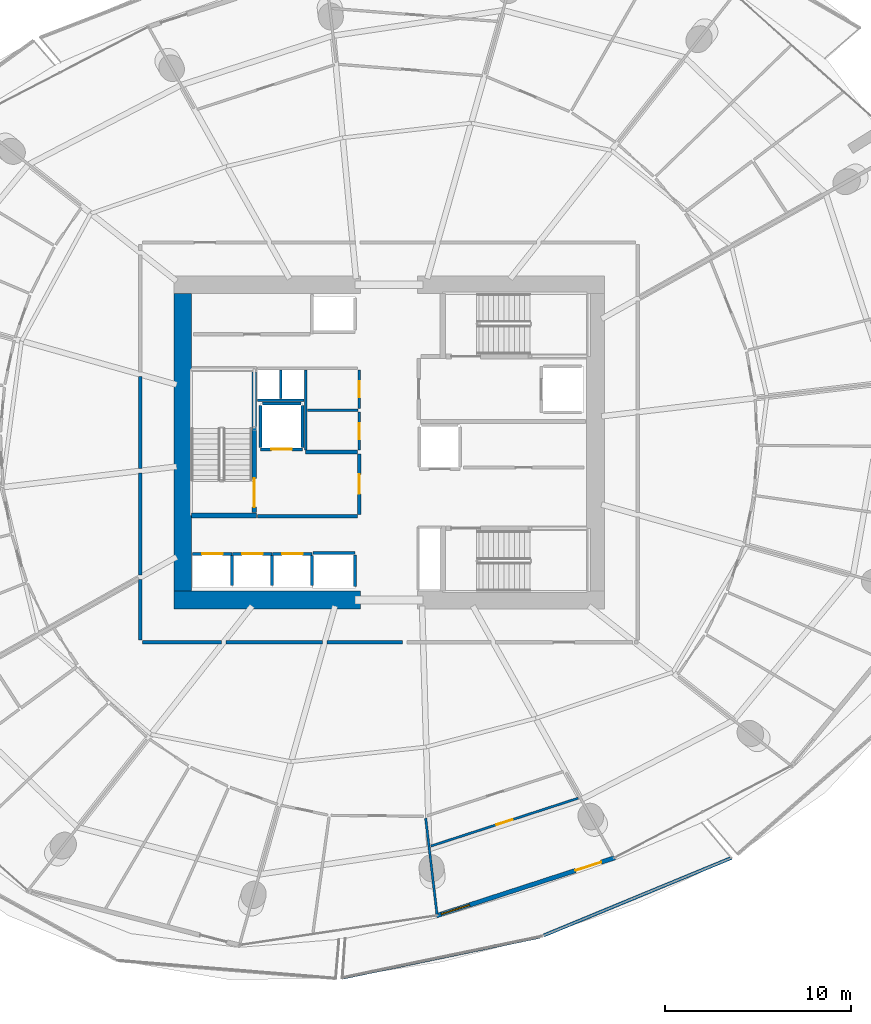
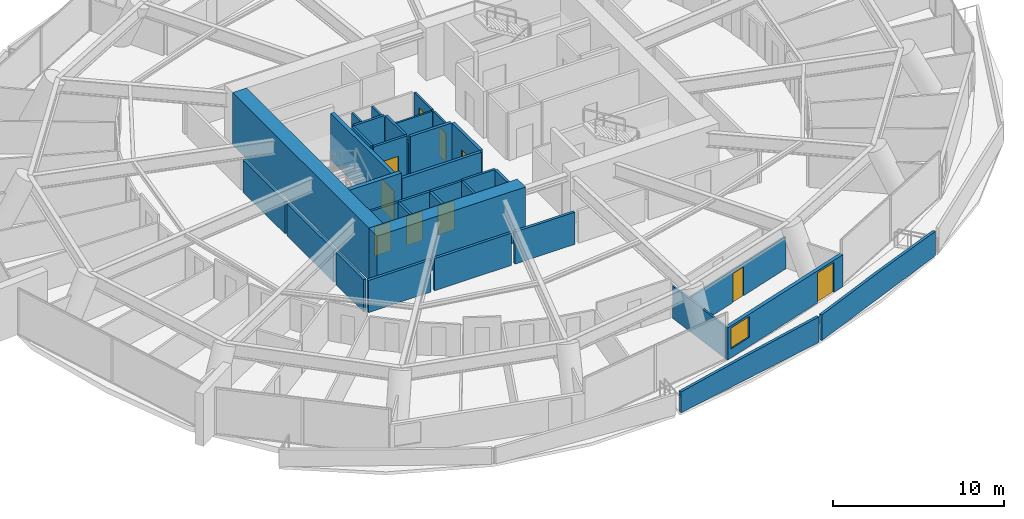
# One storey, part 19 of 31: 36 walls, 10 doors, 1 window, 11 openings.
"""IFC4 building model written with IfcOpenShell, lengths in metres."""

from ifc_helpers import new_model, si_unit, direction, frame, frame_2d, origin, place, context, subcontext, project, spatial, polyline, rectangle, outline, extrude, material, layer, layer_set, type_object, element, fill, save


model = new_model("IFC4")

# Units and contexts
model_context = context("Model", 3, precision=1e-05, world=origin(), true_north=direction((0.0, 1.0)))
body_context = subcontext(model_context, "Body", "Model", "MODEL_VIEW")
ifc_project = project(units=[si_unit("LENGTHUNIT", "METRE"), si_unit("AREAUNIT", "SQUARE_METRE"), si_unit("VOLUMEUNIT", "CUBIC_METRE"), si_unit("PLANEANGLEUNIT", "RADIAN"), si_unit("MASSUNIT", "GRAM", prefix="KILO")], contexts=[model_context])

# Site, building, storey
site_placement = place(None, origin())
site = spatial("IfcSite", under=ifc_project, at=site_placement, CompositionType="ELEMENT")
building_placement = place(site_placement, origin())
building = spatial("IfcBuilding", under=site, at=building_placement, Name="Kazma Halo Residences", CompositionType="ELEMENT")
storey_placement = place(building_placement, frame((0.0, 0.0, 71.39990234375)))
storey = spatial("IfcBuildingStorey", under=building, at=storey_placement, Name="L17", CompositionType="ELEMENT", Elevation=71.39990234375)

# Walls
ifc_material_1 = material(Name="White Concrete C50/60 Balustrade", Category="concrete")
ifc_layer_1 = layer(ifc_material_1, 0.179931640625)
ifc_layer_set_1 = layer_set([ifc_layer_1], Name="White Concrete C50/60 Balustrade")
wall_type_1 = type_object("IfcWallType", Name="WL-BAL-WAVE-180", PredefinedType="PARAPET", material=ifc_layer_set_1)
wall_1_placement = place(storey_placement, frame((45.9111328125, 13.21044921875, 0.0), z_axis=(0.0, 0.0, 1.0), x_axis=(0.979112078275, 0.203321268379, 0.0)))
element("IfcWall", 1, at=wall_1_placement, inside=storey, type_object=wall_type_1, Name="L17 white wave balustrade wall SSE.1", PredefinedType="PARAPET", context=body_context, shape_type="SweptSolid", body=[
    extrude(outline(polyline([(0.0, 0.0), (10.828369140625, 0.0), (10.82861328125, 1.83203125), (5.414306640625, 1.696044921875), (0.0, 1.4970703125), (0.0, 0.0)])), frame((0.0, 0.08984375, 0.0), z_axis=(0.0, -1.0, 0.0), x_axis=(1.0, 0.0, 0.0)), (0.0, 0.0, 1.0), 0.179931640625),
])
wall_2_placement = place(storey_placement, frame((56.741943359375, 15.482421875, 0.0), z_axis=(0.0, 0.0, 1.0), x_axis=(0.924219630584, 0.381861328813, 0.0)))
element("IfcWall", 2, at=wall_2_placement, inside=storey, type_object=wall_type_1, Name="L17 white wave balustrade wall SSE.2", PredefinedType="PARAPET", context=body_context, shape_type="SweptSolid", body=[
    extrude(outline(polyline([(0.0, 0.0), (10.93408203125, 0.0), (10.93408203125, 1.756103515625), (5.467041015625, 1.85302734375), (0.0, 1.83203125), (0.0, 0.0)])), frame((0.0, 0.08984375, 0.0), z_axis=(0.0, -1.0, 0.0), x_axis=(1.0, 0.0, 0.0)), (0.0, 0.0, 1.0), 0.179931640625),
])
ifc_material_2 = material(Name="Concrete C80/95", Category="concrete")
ifc_layer_2 = layer(ifc_material_2, 0.949951171875)
ifc_layer_set_2 = layer_set([ifc_layer_2], Name="Concrete C80/95")
wall_type_2 = type_object("IfcWallType", Name="WL-CORE-950", PredefinedType="SHEAR", material=ifc_layer_set_2)
wall_3_placement = place(storey_placement, frame((36.85009765625, 33.52490234375, 0.0), z_axis=(0.0, 0.0, 1.0), x_axis=(1.0, 0.0, 0.0)))
element("IfcWall", 3, at=wall_3_placement, inside=storey, type_object=wall_type_2, Name="L17 central core shear wall SW", PredefinedType="SHEAR", context=body_context, shape_type="SweptSolid", body=[
    extrude(rectangle(XDim=10.0498046875, YDim=0.949951171875, at=frame_2d((5.02490234375, 0.0))), origin(), (0.0, 0.0, 1.0), 3.75),
])
wall_4_placement = place(storey_placement, frame((37.324951171875, 34.0, 0.0), z_axis=(0.0, 0.0, 1.0), x_axis=(0.0, 1.0, 0.0)))
element("IfcWall", 4, at=wall_4_placement, inside=storey, type_object=wall_type_2, Name="L17 central core shear wall W", PredefinedType="SHEAR", context=body_context, shape_type="SweptSolid", body=[
    extrude(rectangle(XDim=16.0, YDim=0.949951171875, at=frame_2d((8.0, 0.0))), origin(), (0.0, 0.0, 1.0), 3.75),
])
ifc_material_3 = material(Name="Concrete C60/75", Category="concrete")
ifc_layer_3 = layer(ifc_material_3, 0.280029296875)
ifc_layer_set_3 = layer_set([ifc_layer_3], Name="Concrete C60/75")
wall_type_3 = type_object("IfcWallType", Name="WL-CORE-ST-280", PredefinedType="SHEAR", material=ifc_layer_set_3)
wall_5_placement = place(storey_placement, frame((37.800048828125, 38.06005859375, 0.0), z_axis=(0.0, 0.0, 1.0), x_axis=(1.0, 0.0, 0.0)))
element("IfcWall", 5, at=wall_5_placement, inside=storey, type_object=wall_type_3, Name="L17 stairwell bearing wall ST01-S", PredefinedType="SHEAR", context=body_context, shape_type="SweptSolid", body=[
    extrude(rectangle(XDim=3.5, YDim=0.280029296875, at=frame_2d((1.75, 0.0))), origin(), (0.0, 0.0, 1.0), 3.75),
])
ifc_material_4 = material(Name="Acoustic Twin-Stud Gypsum")
ifc_layer_4 = layer(ifc_material_4, 0.179931640625)
ifc_layer_set_4 = layer_set([ifc_layer_4], Name="Acoustic Twin-Stud Gypsum")
wall_type_4 = type_object("IfcWallType", Name="WL-DEM-180", PredefinedType="PARTITIONING", material=ifc_layer_set_4)
wall_6_placement = place(storey_placement, frame((35.050048828125, 45.5322265625, 0.0), z_axis=(0.0, 0.0, 1.0), x_axis=(0.0, -1.0, 0.0)))
element("IfcWall", 6, at=wall_6_placement, inside=storey, type_object=wall_type_4, Name="L17 Apartment 1 inner wall 6", PredefinedType="PARTITIONING", context=body_context, shape_type="SweptSolid", body=[
    extrude(rectangle(XDim=4.94482421875, YDim=0.179931640625, at=frame_2d((2.472412109375, 0.0))), origin(), (0.0, 0.0, 1.0), 2.30712890625),
])
wall_7_placement = place(storey_placement, frame((35.050048828125, 40.347412109375, 0.0), z_axis=(0.0, 0.0, 1.0), x_axis=(0.0, -1.0, 0.0)))
element("IfcWall", 7, at=wall_7_placement, inside=storey, type_object=wall_type_4, Name="L17 Apartment 1 inner wall 7", PredefinedType="PARTITIONING", context=body_context, shape_type="SweptSolid", body=[
    extrude(rectangle(XDim=5.479736328125, YDim=0.179931640625, at=frame_2d((2.73974609375, 0.0))), origin(), (0.0, 0.0, 1.0), 2.30712890625),
])
wall_8_placement = place(storey_placement, frame((35.050048828125, 34.627685546875, 0.0), z_axis=(0.0, 0.0, 1.0), x_axis=(0.0, -1.0, 0.0)))
element("IfcWall", 8, at=wall_8_placement, inside=storey, type_object=wall_type_4, Name="L17 Apartment 2 inner wall 8", PredefinedType="PARTITIONING", context=body_context, shape_type="SweptSolid", body=[
    extrude(rectangle(XDim=3.257568359375, YDim=0.179931640625, at=frame_2d((1.62890625, 0.0))), origin(), (0.0, 0.0, 1.0), 2.30712890625),
])
wall_9_placement = place(storey_placement, frame((35.169921875, 31.25, 0.0), z_axis=(0.0, 0.0, 1.0), x_axis=(1.0, 0.0, 0.0)))
element("IfcWall", 9, at=wall_9_placement, inside=storey, type_object=wall_type_4, Name="L17 Apartment 2 inner wall 8", PredefinedType="PARTITIONING", context=body_context, shape_type="SweptSolid", body=[
    extrude(rectangle(XDim=4.235595703125, YDim=0.179931640625, at=frame_2d((2.11767578125, 0.0))), origin(), (0.0, 0.0, 1.0), 2.30712890625),
])
wall_10_placement = place(storey_placement, frame((39.6455078125, 31.25, 0.0), z_axis=(0.0, 0.0, 1.0), x_axis=(1.0, 0.0, 0.0)))
element("IfcWall", 10, at=wall_10_placement, inside=storey, type_object=wall_type_4, Name="L17 Apartment 2 inner wall 9", PredefinedType="PARTITIONING", context=body_context, shape_type="SweptSolid", body=[
    extrude(rectangle(XDim=5.20263671875, YDim=0.179931640625, at=frame_2d((2.601318359375, 0.0))), origin(), (0.0, 0.0, 1.0), 2.30712890625),
])
wall_11_placement = place(storey_placement, frame((45.088134765625, 31.25, 0.0), z_axis=(0.0, 0.0, 1.0), x_axis=(1.0, 0.0, 0.0)))
element("IfcWall", 11, at=wall_11_placement, inside=storey, type_object=wall_type_4, Name="L17 Apartment 2 inner wall 10", PredefinedType="PARTITIONING", context=body_context, shape_type="SweptSolid", body=[
    extrude(rectangle(XDim=4.064208984375, YDim=0.179931640625, at=frame_2d((2.0322265625, 0.0))), origin(), (0.0, 0.0, 1.0), 2.30712890625),
])

# Wall, openings, door, window
ifc_material_5 = material(Name="Insulated Pale-Metal Composite Wall")
ifc_layer_5 = layer(ifc_material_5, 0.239990234375)
ifc_layer_set_5 = layer_set([ifc_layer_5], Name="Insulated Pale-Metal Composite Wall")
wall_type_5 = type_object("IfcWallType", Name="WL-EXT-HOST-240", PredefinedType="SOLIDWALL", material=ifc_layer_set_5)
wall_12_placement = place(storey_placement, frame((50.9638671875, 16.54150390625, 0.0), z_axis=(0.0, 0.0, 1.0), x_axis=(0.951054679225, 0.309022648238, 0.0)))
wall_12 = element("IfcWall", 12, at=wall_12_placement, inside=storey, type_object=wall_type_5, Name="L17 exterior terrace-access wall B12", PredefinedType="SOLIDWALL", context=body_context, shape_type="SweptSolid", body=[
    extrude(rectangle(XDim=10.0966796875, YDim=0.239990234375, at=frame_2d((5.04833984375, 0.0))), origin(), (0.0, 0.0, 1.0), 2.300048828125),
])
opening_1_placement = place(wall_12_placement, frame((7.876708984375, 0.0, 0.0)))
opening_1 = element("IfcOpeningElement", 13, at=opening_1_placement, cuts=wall_12, Name="Opening DTR-1600", PredefinedType="OPENING", context=body_context, shape_type="SweptSolid", body=[
    extrude(rectangle(XDim=1.449951171875, YDim=2.14990234375, at=frame_2d((0.72509765625, 1.074951171875))), frame((0.0, 0.1298828125, 0.0), z_axis=(0.0, -1.0, 0.0), x_axis=(1.0, 0.0, 0.0)), (0.0, 0.0, 1.0), 0.260009765625),
])
opening_2_placement = place(wall_12_placement, frame((0.280029296875, 0.0, 0.64990234375)))
opening_2 = element("IfcOpeningElement", 14, at=opening_2_placement, cuts=wall_12, Name="Opening W-1800", PredefinedType="OPENING", context=body_context, shape_type="SweptSolid", body=[
    extrude(rectangle(XDim=1.60009765625, YDim=1.5, at=frame_2d((0.800048828125, 0.75))), frame((0.0, 0.1298828125, 0.0), z_axis=(0.0, -1.0, 0.0), x_axis=(1.0, 0.0, 0.0)), (0.0, 0.0, 1.0), 0.260009765625),
])
ifc_material_6 = material(Name="Aluminium AW-6063 T6 Double-Glazed Terrace Door", Category="aluminium")
door_type_1 = type_object("IfcDoorType", Name="DR-EXT-TERR-1600", OperationType="NOTDEFINED", PredefinedType="DOOR", material=ifc_material_6)
door_1_placement = place(opening_1_placement, origin())
door_1 = element("IfcDoor", 15, at=door_1_placement, inside=storey, type_object=door_type_1, Name="L17 B12 balcony terrace door", OperationType="DOUBLE_DOOR_SLIDING", OverallHeight=2.14990234375, OverallWidth=1.449951171875, PredefinedType="DOOR", context=body_context, shape_type="SweptSolid", body=[
    extrude(rectangle(XDim=1.449951171875, YDim=2.14990234375, at=frame_2d((0.72509765625, 1.074951171875))), frame((0.0, 0.02490234375, 0.0), z_axis=(0.0, -1.0, 0.0), x_axis=(1.0, 0.0, 0.0)), (0.0, 0.0, 1.0), 0.050048828125),
])
fill(opening_1, door_1)
ifc_material_7 = material(Name="Clear Triple-Silver Low-E Glass in Aluminium AW-6063 T6 Frame", Category="aluminium")
window_type = type_object("IfcWindowType", Name="WIN-RES-1800", PartitioningType="DOUBLE_PANEL_VERTICAL", PredefinedType="WINDOW", material=ifc_material_7)
window_placement = place(opening_2_placement, origin())
window = element("IfcWindow", 16, at=window_placement, inside=storey, type_object=window_type, Name="L17 B12 apartment window", OverallHeight=1.5, OverallWidth=1.60009765625, PartitioningType="SINGLE_PANEL", PredefinedType="WINDOW", context=body_context, shape_type="SweptSolid", body=[
    extrude(rectangle(XDim=1.60009765625, YDim=1.5, at=frame_2d((0.800048828125, 0.75))), frame((0.0, 0.030029296875, 0.0), z_axis=(0.0, -1.0, 0.0), x_axis=(1.0, 0.0, 0.0)), (0.0, 0.0, 1.0), 0.06005859375),
])
fill(opening_2, window)

# Wall, opening, door
ifc_material_8 = material(Name="Fire-Rated Blockwork Masonry", Category="masonry")
ifc_layer_6 = layer(ifc_material_8, 0.199951171875)
ifc_layer_set_6 = layer_set([ifc_layer_6], Name="Fire-Rated Blockwork Masonry")
wall_type_6 = type_object("IfcWallType", Name="WL-FLB-200", PredefinedType="PARTITIONING", material=ifc_layer_set_6)
wall_13_placement = place(storey_placement, frame((37.864990234375, 36.0048828125, 0.0), z_axis=(0.0, 0.0, 1.0), x_axis=(1.0, 0.0, 0.0)))
wall_13 = element("IfcWall", 17, at=wall_13_placement, inside=storey, type_object=wall_type_6, Name="L17 lift shaft PL-01 front wall", PredefinedType="PARTITIONING", context=body_context, shape_type="SweptSolid", body=[
    extrude(rectangle(XDim=2.110107421875, YDim=0.159912109375, at=frame_2d((1.05517578125, 0.0))), origin(), (0.0, 0.0, 1.0), 3.35009765625),
])
opening_3_placement = place(wall_13_placement, frame((0.5048828125, 0.0, 0.0)))
opening_3 = element("IfcOpeningElement", 18, at=opening_3_placement, cuts=wall_13, Name="Opening LD-PL-01", PredefinedType="OPENING", context=body_context, shape_type="SweptSolid", body=[
    extrude(rectangle(XDim=1.10009765625, YDim=2.10009765625, at=frame_2d((0.550048828125, 1.050048828125))), frame((0.0, 0.08984375, 0.0), z_axis=(0.0, -1.0, 0.0), x_axis=(1.0, 0.0, 0.0)), (0.0, 0.0, 1.0), 0.179931640625),
])
ifc_material_9 = material(Name="Stainless Steel Fire-Rated", Category="steel")
door_type_2 = type_object("IfcDoorType", Name="DR-LIFT-SLD-1100", OperationType="DOUBLE_DOOR_SLIDING", PredefinedType="DOOR", material=ifc_material_9)
door_2_placement = place(opening_3_placement, origin())
door_2 = element("IfcDoor", 19, at=door_2_placement, inside=storey, type_object=door_type_2, Name="L17 lift PL-01 sliding landing door", OperationType="DOUBLE_DOOR_SLIDING", OverallHeight=2.10009765625, OverallWidth=1.10009765625, PredefinedType="DOOR", context=body_context, shape_type="SweptSolid", body=[
    extrude(rectangle(XDim=1.10009765625, YDim=2.10009765625, at=frame_2d((0.550048828125, 1.050048828125))), frame((0.0, 0.02490234375, 0.0), z_axis=(0.0, -1.0, 0.0), x_axis=(1.0, 0.0, 0.0)), (0.0, 0.0, 1.0), 0.050048828125),
])
fill(opening_3, door_2)

# Wall
wall_14_placement = place(storey_placement, frame((39.97509765625, 34.294921875, 0.0), z_axis=(0.0, 0.0, 1.0), x_axis=(0.0, 1.0, 0.0)))
element("IfcWall", 20, at=wall_14_placement, inside=storey, type_object=wall_type_6, Name="L17 lift shaft PL-01 side wall E", PredefinedType="PARTITIONING", context=body_context, shape_type="SweptSolid", body=[
    extrude(rectangle(XDim=1.610107421875, YDim=0.159912109375, at=frame_2d((0.80517578125, 0.0))), origin(), (0.0, 0.0, 1.0), 3.35009765625),
])

# Wall, opening, door
wall_15_placement = place(storey_placement, frame((40.014892578125, 36.0048828125, 0.0), z_axis=(0.0, 0.0, 1.0), x_axis=(1.0, 0.0, 0.0)))
wall_15 = element("IfcWall", 21, at=wall_15_placement, inside=storey, type_object=wall_type_6, Name="L17 lift shaft PL-02 front wall", PredefinedType="PARTITIONING", context=body_context, shape_type="SweptSolid", body=[
    extrude(rectangle(XDim=2.110107421875, YDim=0.159912109375, at=frame_2d((1.05517578125, 0.0))), origin(), (0.0, 0.0, 1.0), 3.35009765625),
])
opening_4_placement = place(wall_15_placement, frame((0.5048828125, 0.0, 0.0)))
opening_4 = element("IfcOpeningElement", 22, at=opening_4_placement, cuts=wall_15, Name="Opening LD-PL-02", PredefinedType="OPENING", context=body_context, shape_type="SweptSolid", body=[
    extrude(rectangle(XDim=1.10009765625, YDim=2.10009765625, at=frame_2d((0.550048828125, 1.050048828125))), frame((0.0, 0.08984375, 0.0), z_axis=(0.0, -1.0, 0.0), x_axis=(1.0, 0.0, 0.0)), (0.0, 0.0, 1.0), 0.179931640625),
])
door_3_placement = place(opening_4_placement, origin())
door_3 = element("IfcDoor", 23, at=door_3_placement, inside=storey, type_object=door_type_2, Name="L17 lift PL-02 sliding landing door", OperationType="DOUBLE_DOOR_SLIDING", OverallHeight=2.10009765625, OverallWidth=1.10009765625, PredefinedType="DOOR", context=body_context, shape_type="SweptSolid", body=[
    extrude(rectangle(XDim=1.10009765625, YDim=2.10009765625, at=frame_2d((0.550048828125, 1.050048828125))), frame((0.0, 0.02490234375, 0.0), z_axis=(0.0, -1.0, 0.0), x_axis=(1.0, 0.0, 0.0)), (0.0, 0.0, 1.0), 0.050048828125),
])
fill(opening_4, door_3)

# Wall
wall_16_placement = place(storey_placement, frame((42.125, 34.294921875, 0.0), z_axis=(0.0, 0.0, 1.0), x_axis=(0.0, 1.0, 0.0)))
element("IfcWall", 24, at=wall_16_placement, inside=storey, type_object=wall_type_6, Name="L17 lift shaft PL-02 side wall E", PredefinedType="PARTITIONING", context=body_context, shape_type="SweptSolid", body=[
    extrude(rectangle(XDim=1.610107421875, YDim=0.159912109375, at=frame_2d((0.80517578125, 0.0))), origin(), (0.0, 0.0, 1.0), 3.35009765625),
])

# Wall, opening, door
wall_17_placement = place(storey_placement, frame((42.1650390625, 36.0048828125, 0.0), z_axis=(0.0, 0.0, 1.0), x_axis=(1.0, 0.0, 0.0)))
wall_17 = element("IfcWall", 25, at=wall_17_placement, inside=storey, type_object=wall_type_6, Name="L17 lift shaft PL-03 front wall", PredefinedType="PARTITIONING", context=body_context, shape_type="SweptSolid", body=[
    extrude(rectangle(XDim=2.10986328125, YDim=0.159912109375, at=frame_2d((1.054931640625, 0.0))), origin(), (0.0, 0.0, 1.0), 3.35009765625),
])
opening_5_placement = place(wall_17_placement, frame((0.5048828125, 0.0, 0.0)))
opening_5 = element("IfcOpeningElement", 26, at=opening_5_placement, cuts=wall_17, Name="Opening LD-PL-03", PredefinedType="OPENING", context=body_context, shape_type="SweptSolid", body=[
    extrude(rectangle(XDim=1.10009765625, YDim=2.10009765625, at=frame_2d((0.550048828125, 1.050048828125))), frame((0.0, 0.08984375, 0.0), z_axis=(0.0, -1.0, 0.0), x_axis=(1.0, 0.0, 0.0)), (0.0, 0.0, 1.0), 0.179931640625),
])
door_4_placement = place(opening_5_placement, origin())
door_4 = element("IfcDoor", 27, at=door_4_placement, inside=storey, type_object=door_type_2, Name="L17 lift PL-03 sliding landing door", OperationType="DOUBLE_DOOR_SLIDING", OverallHeight=2.10009765625, OverallWidth=1.10009765625, PredefinedType="DOOR", context=body_context, shape_type="SweptSolid", body=[
    extrude(rectangle(XDim=1.10009765625, YDim=2.10009765625, at=frame_2d((0.550048828125, 1.050048828125))), frame((0.0, 0.02490234375, 0.0), z_axis=(0.0, -1.0, 0.0), x_axis=(1.0, 0.0, 0.0)), (0.0, 0.0, 1.0), 0.050048828125),
])
fill(opening_5, door_4)

# Walls
wall_18_placement = place(storey_placement, frame((44.27490234375, 34.294921875, 0.0), z_axis=(0.0, 0.0, 1.0), x_axis=(0.0, 1.0, 0.0)))
element("IfcWall", 28, at=wall_18_placement, inside=storey, type_object=wall_type_6, Name="L17 lift shaft PL-03 side wall E", PredefinedType="PARTITIONING", context=body_context, shape_type="SweptSolid", body=[
    extrude(rectangle(XDim=1.610107421875, YDim=0.159912109375, at=frame_2d((0.80517578125, 0.0))), origin(), (0.0, 0.0, 1.0), 3.35009765625),
])
wall_19_placement = place(storey_placement, frame((44.320068359375, 36.054931640625, 0.0), z_axis=(0.0, 0.0, 1.0), x_axis=(1.0, 0.0, 0.0)))
element("IfcWall", 29, at=wall_19_placement, inside=storey, type_object=wall_type_6, Name="L17 lift shaft PX-02 front wall", PredefinedType="PARTITIONING", context=body_context, shape_type="SweptSolid", body=[
    extrude(rectangle(XDim=2.260009765625, YDim=0.159912109375, at=frame_2d((1.1298828125, 0.0))), origin(), (0.0, 0.0, 1.0), 3.35009765625),
])
wall_20_placement = place(storey_placement, frame((46.580078125, 34.2451171875, 0.0), z_axis=(0.0, 0.0, 1.0), x_axis=(0.0, 1.0, 0.0)))
element("IfcWall", 30, at=wall_20_placement, inside=storey, type_object=wall_type_6, Name="L17 lift shaft PX-02 side wall E", PredefinedType="PARTITIONING", context=body_context, shape_type="SweptSolid", body=[
    extrude(rectangle(XDim=1.7099609375, YDim=0.159912109375, at=frame_2d((0.85498046875, 0.0))), origin(), (0.0, 0.0, 1.0), 3.35009765625),
])

# Wall, opening, door
wall_21_placement = place(storey_placement, frame((43.780029296875, 41.6201171875, 0.0), z_axis=(0.0, 0.0, 1.0), x_axis=(-1.0, 0.0, 0.0)))
wall_21 = element("IfcWall", 31, at=wall_21_placement, inside=storey, type_object=wall_type_6, Name="L17 lift shaft FL-01 front wall", PredefinedType="PARTITIONING", context=body_context, shape_type="SweptSolid", body=[
    extrude(rectangle(XDim=2.260009765625, YDim=0.159912109375, at=frame_2d((1.1298828125, 0.0))), origin(), (0.0, 0.0, 1.0), 3.35009765625),
])
opening_6_placement = place(wall_21_placement, frame((0.580078125, 0.0, 0.0)))
opening_6 = element("IfcOpeningElement", 32, at=opening_6_placement, cuts=wall_21, Name="Opening LD-FL-01", PredefinedType="OPENING", context=body_context, shape_type="SweptSolid", body=[
    extrude(rectangle(XDim=1.10009765625, YDim=2.10009765625, at=frame_2d((0.550048828125, 1.050048828125))), frame((0.0, 0.08984375, 0.0), z_axis=(0.0, -1.0, 0.0), x_axis=(1.0, 0.0, 0.0)), (0.0, 0.0, 1.0), 0.179931640625),
])
door_5_placement = place(opening_6_placement, origin())
door_5 = element("IfcDoor", 33, at=door_5_placement, inside=storey, type_object=door_type_2, Name="L17 lift FL-01 sliding landing door", OperationType="DOUBLE_DOOR_SLIDING", OverallHeight=2.10009765625, OverallWidth=1.10009765625, PredefinedType="DOOR", context=body_context, shape_type="SweptSolid", body=[
    extrude(rectangle(XDim=1.10009765625, YDim=2.10009765625, at=frame_2d((0.550048828125, 1.050048828125))), frame((0.0, 0.02490234375, 0.0), z_axis=(0.0, -1.0, 0.0), x_axis=(1.0, 0.0, 0.0)), (0.0, 0.0, 1.0), 0.050048828125),
])
fill(opening_6, door_5)

# Walls
for number, where, z_axis, x_axis, name in (
    (34, (43.780029296875, 41.719970703125, 0.0), (0.0, 0.0, 1.0), (0.0, 1.0, 0.0), "L17 lift shaft FL-01 side wall E"),
    (35, (41.52001953125, 41.719970703125, 0.0), (0.0, 0.0, 1.0), (0.0, 1.0, 0.0), "L17 lift shaft FL-01 side wall W"),
):
    element("IfcWall", number, at=place(storey_placement, frame(where, z_axis=z_axis, x_axis=x_axis)), inside=storey, type_object=wall_type_6, Name=name, PredefinedType="PARTITIONING", context=body_context, shape_type="SweptSolid", body=[
        extrude(rectangle(XDim=2.260009765625, YDim=0.159912109375, at=frame_2d((1.1298828125, 0.0))), origin(), (0.0, 0.0, 1.0), 3.35009765625),
    ])
wall_22_placement = place(storey_placement, frame((41.6201171875, 44.080078125, 0.0), z_axis=(0.0, 0.0, 1.0), x_axis=(1.0, 0.0, 0.0)))
element("IfcWall", 36, at=wall_22_placement, inside=storey, type_object=wall_type_6, Name="L17 lift shaft FL-01 side wall N", PredefinedType="PARTITIONING", context=body_context, shape_type="SweptSolid", body=[
    extrude(rectangle(XDim=2.059814453125, YDim=0.159912109375, at=frame_2d((1.02978515625, 0.0))), origin(), (0.0, 0.0, 1.0), 3.35009765625),
])
wall_23_placement = place(storey_placement, frame((41.35009765625, 38.02001953125, 0.0), z_axis=(0.0, 0.0, 1.0), x_axis=(1.0, 0.0, 0.0)))
element("IfcWall", 37, at=wall_23_placement, inside=storey, type_object=wall_type_6, Name="L17 west firefighting lobby south smoke wall", PredefinedType="PARTITIONING", context=body_context, shape_type="SweptSolid", body=[
    extrude(rectangle(XDim=5.369873046875, YDim=0.199951171875, at=frame_2d((2.68505859375, 0.0))), origin(), (0.0, 0.0, 1.0), 3.35009765625),
])
wall_24_placement = place(storey_placement, frame((43.919921875, 41.47998046875, 0.0), z_axis=(0.0, 0.0, 1.0), x_axis=(1.0, 0.0, 0.0)))
element("IfcWall", 38, at=wall_24_placement, inside=storey, type_object=wall_type_6, Name="L17 west firefighting lobby north smoke wall", PredefinedType="PARTITIONING", context=body_context, shape_type="SweptSolid", body=[
    extrude(rectangle(XDim=2.800048828125, YDim=0.199951171875, at=frame_2d((1.39990234375, 0.0))), origin(), (0.0, 0.0, 1.0), 3.35009765625),
])

# Wall, opening, door
wall_25_placement = place(storey_placement, frame((46.820068359375, 38.1201171875, 0.0), z_axis=(0.0, 0.0, 1.0), x_axis=(0.0, 1.0, 0.0)))
wall_25 = element("IfcWall", 39, at=wall_25_placement, inside=storey, type_object=wall_type_6, Name="L17 west firefighting lobby smoke wall", PredefinedType="PARTITIONING", context=body_context, shape_type="SweptSolid", body=[
    extrude(rectangle(XDim=3.259765625, YDim=0.199951171875, at=frame_2d((1.6298828125, 0.0))), origin(), (0.0, 0.0, 1.0), 3.35009765625),
])
opening_7_placement = place(wall_25_placement, frame((1.10498046875, 0.0, 0.0)))
opening_7 = element("IfcOpeningElement", 40, at=opening_7_placement, cuts=wall_25, Name="Opening D-FLW", PredefinedType="OPENING", context=body_context, shape_type="SweptSolid", body=[
    extrude(rectangle(XDim=1.050048828125, YDim=2.10009765625, at=frame_2d((0.52490234375, 1.050048828125))), frame((0.0, 0.10986328125, 0.0), z_axis=(0.0, -1.0, 0.0), x_axis=(1.0, 0.0, 0.0)), (0.0, 0.0, 1.0), 0.219970703125),
])
ifc_material_10 = material(Name="Fire-Rated Steel Leaf", Category="steel")
door_type_3 = type_object("IfcDoorType", Name="DR-FD90-1050", OperationType="NOTDEFINED", PredefinedType="DOOR", material=ifc_material_10)
door_6_placement = place(opening_7_placement, origin())
door_6 = element("IfcDoor", 41, at=door_6_placement, inside=storey, type_object=door_type_3, Name="L17 west firefighting lobby smoke door", OperationType="SINGLE_SWING_RIGHT", OverallHeight=2.10009765625, OverallWidth=1.050048828125, PredefinedType="DOOR", context=body_context, shape_type="SweptSolid", body=[
    extrude(rectangle(XDim=1.050048828125, YDim=2.10009765625, at=frame_2d((0.52490234375, 1.050048828125))), frame((0.0, 0.02490234375, 0.0), z_axis=(0.0, -1.0, 0.0), x_axis=(1.0, 0.0, 0.0)), (0.0, 0.0, 1.0), 0.050048828125),
])
fill(opening_7, door_6)

# Walls
ifc_material_11 = material(Name="Gypsum Plasterboard Partition")
ifc_layer_7 = layer(ifc_material_11, 0.125)
ifc_layer_set_7 = layer_set([ifc_layer_7], Name="Gypsum Plasterboard Partition")
wall_type_7 = type_object("IfcWallType", Name="WL-PART-125", PredefinedType="PARTITIONING", material=ifc_layer_set_7)
wall_26_placement = place(storey_placement, frame((41.360107421875, 44.260009765625, 0.0), z_axis=(0.0, 0.0, 1.0), x_axis=(1.0, 0.0, 0.0)))
element("IfcWall", 42, at=wall_26_placement, inside=storey, type_object=wall_type_7, Name="L17 core riser south wall", PredefinedType="PARTITIONING", context=body_context, shape_type="SweptSolid", body=[
    extrude(rectangle(XDim=2.5, YDim=0.125, at=frame_2d((1.25, 0.0))), origin(), (0.0, 0.0, 1.0), 2.7900390625),
])
wall_27_placement = place(storey_placement, frame((42.60009765625, 44.35009765625, 0.0), z_axis=(0.0, 0.0, 1.0), x_axis=(0.0, 1.0, 0.0)))
element("IfcWall", 43, at=wall_27_placement, inside=storey, type_object=wall_type_7, Name="L17 core riser divider wall", PredefinedType="PARTITIONING", context=body_context, shape_type="SweptSolid", body=[
    extrude(rectangle(XDim=1.5498046875, YDim=0.125, at=frame_2d((0.77490234375, 0.0))), origin(), (0.0, 0.0, 1.0), 2.7900390625),
])
wall_28_placement = place(storey_placement, frame((43.949951171875, 41.580078125, 0.0), z_axis=(0.0, 0.0, 1.0), x_axis=(0.0, 1.0, 0.0)))
element("IfcWall", 44, at=wall_28_placement, inside=storey, type_object=wall_type_7, Name="L17 core service west wall", PredefinedType="PARTITIONING", context=body_context, shape_type="SweptSolid", body=[
    extrude(rectangle(XDim=4.31982421875, YDim=0.125, at=frame_2d((2.159912109375, 0.0))), origin(), (0.0, 0.0, 1.0), 2.7900390625),
])
wall_29_placement = place(storey_placement, frame((44.030029296875, 43.72998046875, 0.0), z_axis=(0.0, 0.0, 1.0), x_axis=(1.0, 0.0, 0.0)))
element("IfcWall", 45, at=wall_29_placement, inside=storey, type_object=wall_type_7, Name="L17 switch/IDF divider", PredefinedType="PARTITIONING", context=body_context, shape_type="SweptSolid", body=[
    extrude(rectangle(XDim=2.7099609375, YDim=0.125, at=frame_2d((1.35498046875, 0.0))), origin(), (0.0, 0.0, 1.0), 2.7900390625),
])

# Wall, opening, door
wall_30_placement = place(storey_placement, frame((46.820068359375, 41.580078125, 0.0), z_axis=(0.0, 0.0, 1.0), x_axis=(0.0, 1.0, 0.0)))
wall_30 = element("IfcWall", 46, at=wall_30_placement, inside=storey, type_object=wall_type_7, Name="L17 electrical switch room east wall", PredefinedType="PARTITIONING", context=body_context, shape_type="SweptSolid", body=[
    extrude(rectangle(XDim=2.0498046875, YDim=0.125, at=frame_2d((1.02490234375, 0.0))), origin(), (0.0, 0.0, 1.0), 2.7900390625),
])
opening_8_placement = place(wall_30_placement, frame((0.60009765625, 0.0, 0.0)))
opening_8 = element("IfcOpeningElement", 47, at=opening_8_placement, cuts=wall_30, Name="Opening DS-850", PredefinedType="OPENING", context=body_context, shape_type="SweptSolid", body=[
    extrude(rectangle(XDim=0.85009765625, YDim=2.06005859375, at=frame_2d((0.425048828125, 1.030029296875))), frame((0.0, 0.072509765625, 0.0), z_axis=(0.0, -1.0, 0.0), x_axis=(1.0, 0.0, 0.0)), (0.0, 0.0, 1.0), 0.14501953125),
])
ifc_material_12 = material(Name="Painted Steel Access Leaf", Category="steel")
door_type_4 = type_object("IfcDoorType", Name="DR-SVC-850", OperationType="NOTDEFINED", PredefinedType="DOOR", material=ifc_material_12)
door_7_placement = place(opening_8_placement, origin())
door_7 = element("IfcDoor", 48, at=door_7_placement, inside=storey, type_object=door_type_4, Name="L17 electrical switch room door", OperationType="SINGLE_SWING_RIGHT", OverallHeight=2.06005859375, OverallWidth=0.85009765625, PredefinedType="DOOR", context=body_context, shape_type="SweptSolid", body=[
    extrude(rectangle(XDim=0.85009765625, YDim=2.06005859375, at=frame_2d((0.425048828125, 1.030029296875))), frame((0.0, 0.02490234375, 0.0), z_axis=(0.0, -1.0, 0.0), x_axis=(1.0, 0.0, 0.0)), (0.0, 0.0, 1.0), 0.050048828125),
])
fill(opening_8, door_7)

wall_31_placement = place(storey_placement, frame((46.820068359375, 43.830078125, 0.0), z_axis=(0.0, 0.0, 1.0), x_axis=(0.0, 1.0, 0.0)))
wall_31 = element("IfcWall", 49, at=wall_31_placement, inside=storey, type_object=wall_type_7, Name="L17 telecom IDF room east wall", PredefinedType="PARTITIONING", context=body_context, shape_type="SweptSolid", body=[
    extrude(rectangle(XDim=2.0498046875, YDim=0.125, at=frame_2d((1.02490234375, 0.0))), origin(), (0.0, 0.0, 1.0), 2.7900390625),
])
opening_9_placement = place(wall_31_placement, frame((0.60009765625, 0.0, 0.0)))
opening_9 = element("IfcOpeningElement", 50, at=opening_9_placement, cuts=wall_31, Name="Opening DS-850", PredefinedType="OPENING", context=body_context, shape_type="SweptSolid", body=[
    extrude(rectangle(XDim=0.85009765625, YDim=2.06005859375, at=frame_2d((0.425048828125, 1.030029296875))), frame((0.0, 0.072509765625, 0.0), z_axis=(0.0, -1.0, 0.0), x_axis=(1.0, 0.0, 0.0)), (0.0, 0.0, 1.0), 0.14501953125),
])
door_8_placement = place(opening_9_placement, origin())
door_8 = element("IfcDoor", 51, at=door_8_placement, inside=storey, type_object=door_type_4, Name="L17 telecom IDF room door", OperationType="SINGLE_SWING_LEFT", OverallHeight=2.06005859375, OverallWidth=0.85009765625, PredefinedType="DOOR", context=body_context, shape_type="SweptSolid", body=[
    extrude(rectangle(XDim=0.85009765625, YDim=2.06005859375, at=frame_2d((0.425048828125, 1.030029296875))), frame((0.0, 0.02490234375, 0.0), z_axis=(0.0, -1.0, 0.0), x_axis=(1.0, 0.0, 0.0)), (0.0, 0.0, 1.0), 0.050048828125),
])
fill(opening_9, door_8)

# Wall
wall_32_placement = place(storey_placement, frame((50.392333984375, 21.7880859375, 0.0), z_axis=(0.0, 0.0, 1.0), x_axis=(0.11749238711, -0.993073783246, 0.0)))
element("IfcWall", 52, at=wall_32_placement, inside=storey, type_object=wall_type_7, Name="L17 Apartment 2 radial partition 11", PredefinedType="PARTITIONING", context=body_context, shape_type="SweptSolid", body=[
    extrude(rectangle(XDim=5.24267578125, YDim=0.125, at=frame_2d((2.621337890625, 0.0))), origin(), (0.0, 0.0, 1.0), 2.30712890625),
])

# Wall, opening, door
wall_33_placement = place(storey_placement, frame((50.677978515625, 20.290771484375, 0.0), z_axis=(0.0, 0.0, 1.0), x_axis=(0.951055406903, 0.309020408714, 0.0)))
wall_33 = element("IfcWall", 53, at=wall_33_placement, inside=storey, type_object=wall_type_7, Name="L17 Apartment 2 Sky Bedroom divider wall", PredefinedType="PARTITIONING", context=body_context, shape_type="SweptSolid", body=[
    extrude(rectangle(XDim=8.3232421875, YDim=0.125, at=frame_2d((4.16162109375, 0.0))), origin(), (0.0, 0.0, 1.0), 2.30712890625),
])
opening_10_placement = place(wall_33_placement, frame((3.71142578125, 0.0, 0.0)))
opening_10 = element("IfcOpeningElement", 54, at=opening_10_placement, cuts=wall_33, Name="Opening DI-950", PredefinedType="OPENING", context=body_context, shape_type="SweptSolid", body=[
    extrude(rectangle(XDim=0.89990234375, YDim=2.080078125, at=frame_2d((0.449951171875, 1.0400390625))), frame((0.0, 0.072509765625, 0.0), z_axis=(0.0, -1.0, 0.0), x_axis=(1.0, 0.0, 0.0)), (0.0, 0.0, 1.0), 0.14501953125),
])
ifc_material_13 = material(Name="Timber Veneer Flush Leaf", Category="wood")
door_type_5 = type_object("IfcDoorType", Name="DR-INT-950", OperationType="NOTDEFINED", PredefinedType="DOOR", material=ifc_material_13)
door_9_placement = place(opening_10_placement, origin())
door_9 = element("IfcDoor", 55, at=door_9_placement, inside=storey, type_object=door_type_5, Name="L17 Apartment 2 Sky Bedroom door", OperationType="SINGLE_SWING_RIGHT", OverallHeight=2.080078125, OverallWidth=0.89990234375, PredefinedType="DOOR", context=body_context, shape_type="SweptSolid", body=[
    extrude(rectangle(XDim=0.89990234375, YDim=2.080078125, at=frame_2d((0.449951171875, 1.0400390625))), frame((0.0, 0.02490234375, 0.0), z_axis=(0.0, -1.0, 0.0), x_axis=(1.0, 0.0, 0.0)), (0.0, 0.0, 1.0), 0.050048828125),
])
fill(opening_10, door_9)

ifc_material_14 = material(Name="Concrete C50/60", Category="concrete")
ifc_layer_8 = layer(ifc_material_14, 0.25)
ifc_layer_set_8 = layer_set([ifc_layer_8], Name="Concrete C50/60")
wall_type_8 = type_object("IfcWallType", Name="WL-SHF-250", PredefinedType="SOLIDWALL", material=ifc_layer_set_8)
wall_34_placement = place(storey_placement, frame((41.179931640625, 38.219970703125, 0.0), z_axis=(0.0, 0.0, 1.0), x_axis=(0.0, 1.0, 0.0)))
wall_34 = element("IfcWall", 56, at=wall_34_placement, inside=storey, type_object=wall_type_8, Name="L17 exit stair ST-01 enclosure wall", PredefinedType="SOLIDWALL", context=body_context, shape_type="SweptSolid", body=[
    extrude(rectangle(XDim=7.56005859375, YDim=0.25, at=frame_2d((3.780029296875, 0.0))), origin(), (0.0, 0.0, 1.0), 3.35009765625),
])
opening_11_placement = place(wall_34_placement, frame((0.300048828125, 0.0, 0.0)))
opening_11 = element("IfcOpeningElement", 57, at=opening_11_placement, cuts=wall_34, Name="Opening D-ST1", PredefinedType="OPENING", context=body_context, shape_type="SweptSolid", body=[
    extrude(rectangle(XDim=1.550048828125, YDim=2.14990234375, at=frame_2d((0.77490234375, 1.074951171875))), frame((0.0, 0.135009765625, 0.0), z_axis=(0.0, -1.0, 0.0), x_axis=(1.0, 0.0, 0.0)), (0.0, 0.0, 1.0), 0.27001953125),
])
ifc_material_15 = material(Name="Fire-Rated Double Steel Leaf", Category="steel")
door_type_6 = type_object("IfcDoorType", Name="DR-FD90-1550", OperationType="NOTDEFINED", PredefinedType="DOOR", material=ifc_material_15)
door_10_placement = place(opening_11_placement, origin())
door_10 = element("IfcDoor", 58, at=door_10_placement, inside=storey, type_object=door_type_6, Name="L17 exit stair ST-01 fire door", OperationType="DOUBLE_DOOR_SINGLE_SWING", OverallHeight=2.14990234375, OverallWidth=1.550048828125, PredefinedType="DOOR", context=body_context, shape_type="SweptSolid", body=[
    extrude(rectangle(XDim=1.550048828125, YDim=2.14990234375, at=frame_2d((0.77490234375, 1.074951171875))), frame((0.0, 0.02490234375, 0.0), z_axis=(0.0, -1.0, 0.0), x_axis=(1.0, 0.0, 0.0)), (0.0, 0.0, 1.0), 0.050048828125),
])
fill(opening_11, door_10)

save(model, "model.ifc")
